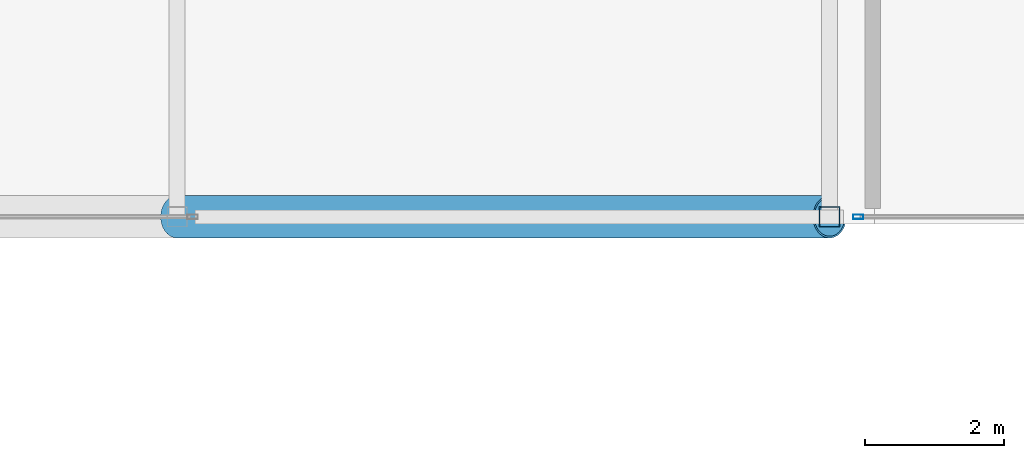
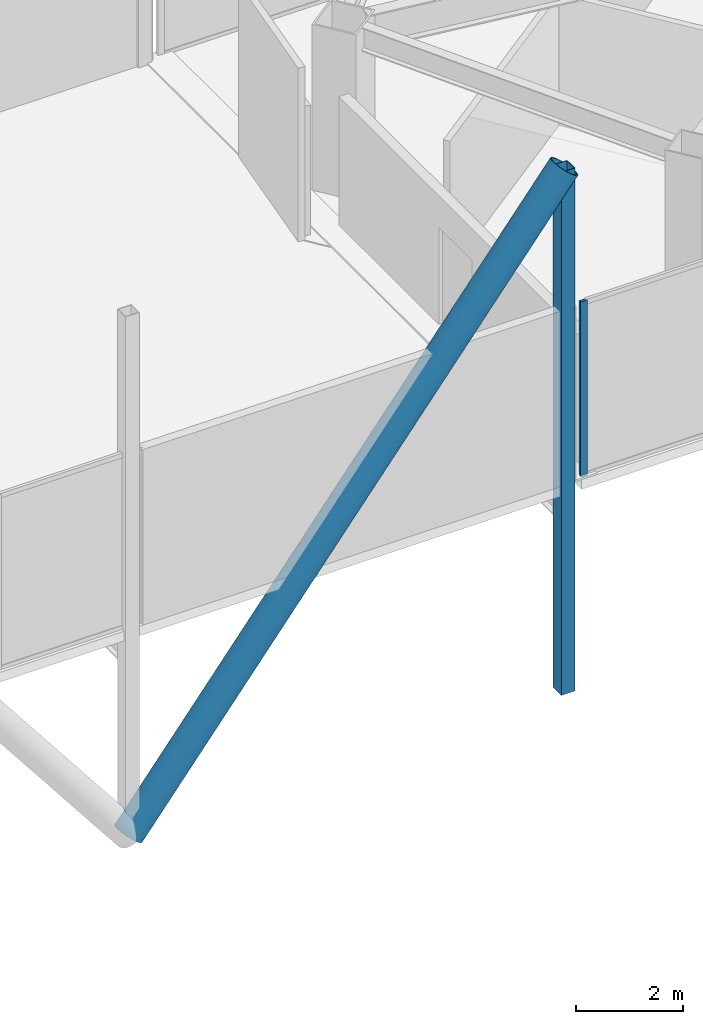
# One storey, part 23 of 53: 3 members, 1 element without a shape of its own.
"""IFC4 building model written with IfcOpenShell, lengths in metres."""

from ifc_helpers import new_model, si_unit, direction, frame, origin, origin_2d, place, context, subcontext, project, spatial, hollow_rectangle, hollow_circle, extrude, material, material_profile, profile_set, type_object, element, aggregate, save


model = new_model("IFC4")

# Units and contexts
model_context = context("Model", 3, precision=1e-05, world=origin(), true_north=direction((0.0, 1.0)))
body_context = subcontext(model_context, "Body", "Model", "MODEL_VIEW")
ifc_project = project(units=[si_unit("LENGTHUNIT", "METRE"), si_unit("AREAUNIT", "SQUARE_METRE"), si_unit("VOLUMEUNIT", "CUBIC_METRE"), si_unit("PLANEANGLEUNIT", "RADIAN"), si_unit("MASSUNIT", "GRAM", prefix="KILO")], contexts=[model_context])

# Site, building, storey
site_placement = place(None, origin())
site = spatial("IfcSite", under=ifc_project, at=site_placement, CompositionType="ELEMENT")
building_placement = place(site_placement, origin())
building = spatial("IfcBuilding", under=site, at=building_placement, Name="Tashvorn Skyway Center", CompositionType="ELEMENT")
storey_placement = place(building_placement, frame((0.0, 0.0, 255.39990234375)))
storey = spatial("IfcBuildingStorey", under=building, at=storey_placement, Name="L69", CompositionType="ELEMENT", Elevation=255.39990234375)

# Curtain wall, member
ifc_material_1 = material(Name="Thermally broken bronze-anodized aluminium 6063-T6", Category="aluminium")
curtain_wall_type = type_object("IfcCurtainWallType", Name="CW-CW-SKY", PredefinedType="NOTDEFINED", material=ifc_material_1)
curtain_wall_placement = place(storey_placement, origin())
curtain_wall = element("IfcCurtainWall", 1, at=curtain_wall_placement, inside=storey, type_object=curtain_wall_type, Name="Tower 2 L69 Vestibule South Curtain Wall", PredefinedType="NOTDEFINED")
ifc_material_profile_1 = material_profile(ifc_material_1, hollow_rectangle(XDim=0.06494140625, YDim=0.14990234375, WallThickness=0.00390625, at=origin_2d()), Name="ALU-MULL-65x150")
ifc_profile_set_1 = profile_set([ifc_material_profile_1], Name="Thermally broken bronze-anodized aluminium 6063-T6")
member_type_1 = type_object("IfcMemberType", Name="CWM-CW-SKY", PredefinedType="MULLION", material=ifc_profile_set_1)
member_1_placement = place(storey_placement, frame((94.91259765625, 24.10009765625, 0.0), z_axis=(0.0, 0.0, 1.0), x_axis=(0.0, -1.0, 0.0)))
member_1 = element("IfcMember", 2, at=member_1_placement, type_object=member_type_1, Name="CW-SKY mullion 2", PredefinedType="MULLION", context=body_context, shape_type="SweptSolid", body=[
    extrude(hollow_rectangle(XDim=0.06494140625, YDim=0.14990234375, WallThickness=0.00390625, at=origin_2d()), origin(), (0.0, 0.0, 1.0), 4.0),
])
aggregate(curtain_wall, [member_1])

# Members
ifc_material_2 = material(Name="Steel ASTM A572 Grade 50", Category="steel")
ifc_material_profile_2 = material_profile(ifc_material_2, hollow_circle(Radius=0.304931640625, WallThickness=0.02490234375, at=origin_2d()), Name="CHS610x25")
ifc_profile_set_2 = profile_set([ifc_material_profile_2], Name="Steel ASTM A572 Grade 50")
member_type_2 = type_object("IfcMemberType", Name="MEM-SP-DIA-610", PredefinedType="BRACE", material=ifc_profile_set_2)
member_2_placement = place(storey_placement, frame((85.10009765625, 24.10009765625, -4.725341796875), z_axis=(0.619215562417, 0.0, 0.785221043567), x_axis=(0.0, 1.0, 0.0)))
element("IfcMember", 3, at=member_2_placement, inside=storey, type_object=member_type_2, Name="Sky-Park Truss 1 Web Diagonal 09", PredefinedType="BRACE", context=body_context, shape_type="SweptSolid", body=[
    extrude(hollow_circle(Radius=0.304931640625, WallThickness=0.02490234375, at=origin_2d()), origin(), (0.0, 0.0, 1.0), 15.180419921875),
])
ifc_material_profile_3 = material_profile(ifc_material_2, hollow_rectangle(XDim=0.300048828125, YDim=0.300048828125, WallThickness=0.012451171875, at=origin_2d()), Name="HSS300x300x12.5")
ifc_profile_set_3 = profile_set([ifc_material_profile_3], Name="Steel ASTM A572 Grade 50")
member_type_3 = type_object("IfcMemberType", Name="MEM-SP-PST-300", PredefinedType="POST", material=ifc_profile_set_3)
member_3_placement = place(storey_placement, frame((94.5, 24.10009765625, -4.725341796875), z_axis=(0.0, 0.0, 1.0), x_axis=(1.0, 0.0, 0.0)))
element("IfcMember", 4, at=member_3_placement, inside=storey, type_object=member_type_3, Name="Sky-Park Truss 1 Vertical Post 10", PredefinedType="POST", context=body_context, shape_type="SweptSolid", body=[
    extrude(hollow_rectangle(XDim=0.300048828125, YDim=0.300048828125, WallThickness=0.012451171875, at=origin_2d()), origin(), (0.0, 0.0, 1.0), 11.919921875),
])

save(model, "model.ifc")
